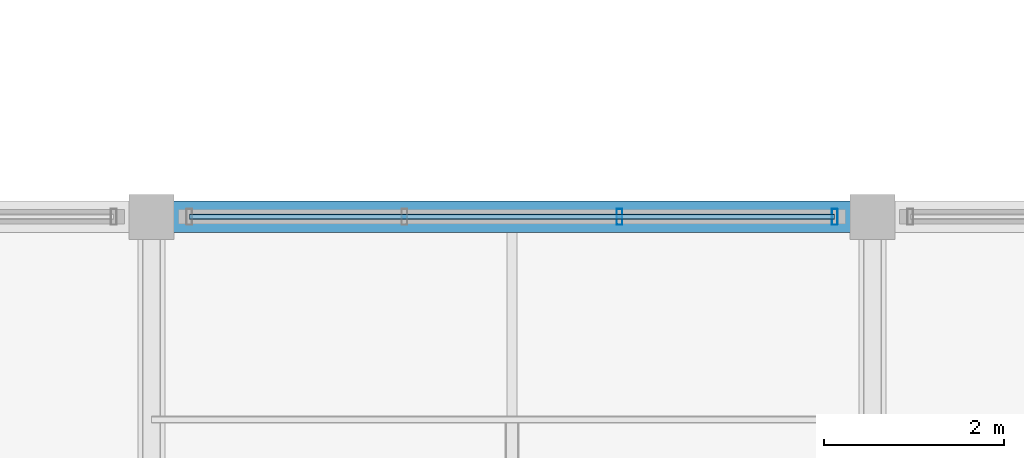
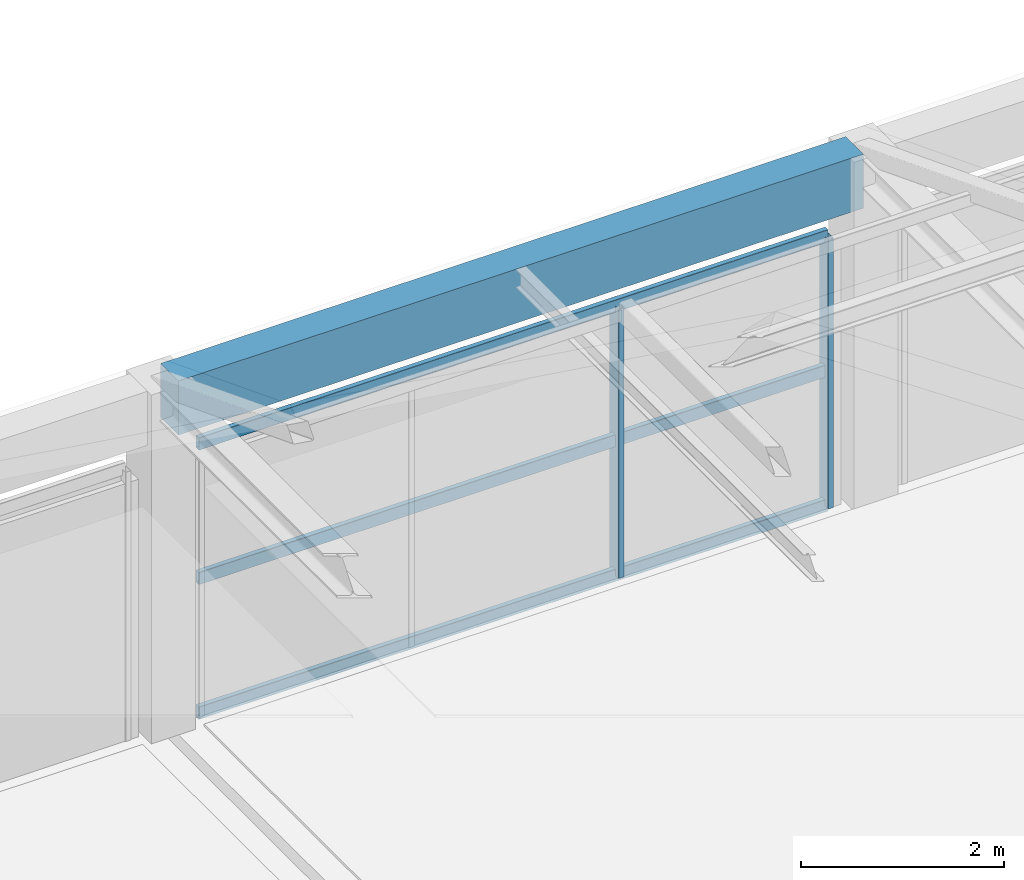
# One storey, part 25 of 65: 5 members, 1 beam, 1 element without a shape of its own.
"""IFC4 building model written with IfcOpenShell, lengths in metres."""

from ifc_helpers import new_model, si_unit, direction, frame, origin, origin_2d, place, context, subcontext, project, spatial, rectangle, hollow_rectangle, extrude, material, material_profile, profile_set, type_object, element, aggregate, save


model = new_model("IFC4")

# Units and contexts
model_context = context("Model", 3, precision=1e-05, world=origin(), true_north=direction((0.0, 1.0)))
body_context = subcontext(model_context, "Body", "Model", "MODEL_VIEW")
ifc_project = project(units=[si_unit("LENGTHUNIT", "METRE"), si_unit("AREAUNIT", "SQUARE_METRE"), si_unit("VOLUMEUNIT", "CUBIC_METRE"), si_unit("PLANEANGLEUNIT", "RADIAN"), si_unit("MASSUNIT", "GRAM", prefix="KILO")], contexts=[model_context])

# Site, building, storey
site_placement = place(None, origin())
site = spatial("IfcSite", under=ifc_project, at=site_placement, CompositionType="ELEMENT")
building_placement = place(site_placement, origin())
building = spatial("IfcBuilding", under=site, at=building_placement, Name="Varnabhumi Central Station", CompositionType="ELEMENT")
storey_placement = place(building_placement, frame((0.0, 0.0, 24.60009765625)))
storey = spatial("IfcBuildingStorey", under=building, at=storey_placement, Name="L05", CompositionType="ELEMENT", Elevation=24.60009765625)

# Beam
ifc_material_1 = material(Name="Concrete M40", Category="concrete")
ifc_material_profile_1 = material_profile(ifc_material_1, rectangle(XDim=0.35009765625, YDim=0.64990234375, at=origin_2d()), Name="Concrete M40", Category="concrete")
ifc_profile_set_1 = profile_set([ifc_material_profile_1], Name="Concrete M40")
beam_type = type_object("IfcBeamType", Name="BM-RC-350x650", PredefinedType="BEAM", material=ifc_profile_set_1)
beam_placement = place(storey_placement, frame((120.10009765625, 9.0, 3.875), z_axis=(1.0, 0.0, 0.0), x_axis=(0.0, 1.0, 0.0)))
element("IfcBeam", 1, at=beam_placement, inside=storey, type_object=beam_type, Name="Beam L05-B:16-17", PredefinedType="BEAM", context=body_context, shape_type="SweptSolid", body=[
    extrude(rectangle(XDim=0.35009765625, YDim=0.64990234375, at=origin_2d()), origin(), (0.0, 0.0, 1.0), 7.7998046875),
])

# Curtain wall, members
ifc_material_2 = material(Name="Anodised aluminium 6063-T6", Category="aluminium")
curtain_wall_type = type_object("IfcCurtainWallType", Name="CW-PATIO-LOGGIA-L3", PredefinedType="NOTDEFINED", material=ifc_material_2)
curtain_wall_placement = place(storey_placement, origin())
curtain_wall = element("IfcCurtainWall", 2, at=curtain_wall_placement, inside=storey, type_object=curtain_wall_type, Name="Curtain Wall CW-SP5S2", PredefinedType="NOTDEFINED")
ifc_material_profile_2 = material_profile(ifc_material_2, hollow_rectangle(XDim=0.06494140625, YDim=0.179931640625, WallThickness=0.00390625, InnerFilletRadius=0.001953125, OuterFilletRadius=0.006103515625, at=origin_2d()), Name="Anodised aluminium 6063-T6", Category="aluminium")
ifc_profile_set_2 = profile_set([ifc_material_profile_2], Name="Anodised aluminium 6063-T6")
member_type_1 = type_object("IfcMemberType", Name="CW-MUL-180", PredefinedType="MULLION", material=ifc_profile_set_2)
member_1_placement = place(storey_placement, frame((125.193359375, 9.0, 0.0), z_axis=(0.0, 0.0, 1.0), x_axis=(1.0, 0.0, 0.0)))
member_1 = element("IfcMember", 3, at=member_1_placement, type_object=member_type_1, Name="Curtain Wall Mullion CW-SP5S2-M3", PredefinedType="MULLION", context=body_context, shape_type="SweptSolid", body=[
    extrude(hollow_rectangle(XDim=0.06494140625, YDim=0.179931640625, WallThickness=0.00390625, InnerFilletRadius=0.001953125, OuterFilletRadius=0.006103515625, at=origin_2d()), origin(), (0.0, 0.0, 1.0), 3.239990234375),
])
member_2_placement = place(storey_placement, frame((127.580078125, 9.0, 0.0), z_axis=(0.0, 0.0, 1.0), x_axis=(1.0, 0.0, 0.0)))
member_2 = element("IfcMember", 4, at=member_2_placement, type_object=member_type_1, Name="Curtain Wall Mullion CW-SP5S2-M4", PredefinedType="MULLION", context=body_context, shape_type="SweptSolid", body=[
    extrude(hollow_rectangle(XDim=0.06494140625, YDim=0.179931640625, WallThickness=0.00390625, InnerFilletRadius=0.001953125, OuterFilletRadius=0.006103515625, at=origin_2d()), origin(), (0.0, 0.0, 1.0), 3.239990234375),
])
ifc_material_profile_3 = material_profile(ifc_material_2, hollow_rectangle(XDim=0.06005859375, YDim=0.14990234375, WallThickness=0.00390625, InnerFilletRadius=0.001953125, OuterFilletRadius=0.006103515625, at=origin_2d()), Name="Anodised aluminium 6063-T6", Category="aluminium")
ifc_profile_set_3 = profile_set([ifc_material_profile_3], Name="Anodised aluminium 6063-T6")
member_type_2 = type_object("IfcMemberType", Name="CW-TR-150", PredefinedType="USERDEFINED", material=ifc_profile_set_3)
member_3_placement = place(storey_placement, frame((120.419921875, 9.0, 0.0), z_axis=(1.0, 0.0, 0.0), x_axis=(0.0, 1.0, 0.0)))
member_3 = element("IfcMember", 5, at=member_3_placement, type_object=member_type_2, Name="Curtain Wall Transom CW-SP5S2-T1", ObjectType="TRANSOM", PredefinedType="USERDEFINED", context=body_context, shape_type="SweptSolid", body=[
    extrude(hollow_rectangle(XDim=0.06005859375, YDim=0.14990234375, WallThickness=0.00390625, InnerFilletRadius=0.001953125, OuterFilletRadius=0.006103515625, at=origin_2d()), origin(), (0.0, 0.0, 1.0), 7.16015625),
])
member_4_placement = place(storey_placement, frame((120.419921875, 9.0, 1.619873046875), z_axis=(1.0, 0.0, 0.0), x_axis=(0.0, 1.0, 0.0)))
member_4 = element("IfcMember", 6, at=member_4_placement, type_object=member_type_2, Name="Curtain Wall Transom CW-SP5S2-T2", ObjectType="TRANSOM", PredefinedType="USERDEFINED", context=body_context, shape_type="SweptSolid", body=[
    extrude(hollow_rectangle(XDim=0.06005859375, YDim=0.14990234375, WallThickness=0.00390625, InnerFilletRadius=0.001953125, OuterFilletRadius=0.006103515625, at=origin_2d()), origin(), (0.0, 0.0, 1.0), 7.16015625),
])
member_5_placement = place(storey_placement, frame((120.419921875, 9.0, 3.239990234375), z_axis=(1.0, 0.0, 0.0), x_axis=(0.0, 1.0, 0.0)))
member_5 = element("IfcMember", 7, at=member_5_placement, type_object=member_type_2, Name="Curtain Wall Transom CW-SP5S2-T3", ObjectType="TRANSOM", PredefinedType="USERDEFINED", context=body_context, shape_type="SweptSolid", body=[
    extrude(hollow_rectangle(XDim=0.06005859375, YDim=0.14990234375, WallThickness=0.00390625, InnerFilletRadius=0.001953125, OuterFilletRadius=0.006103515625, at=origin_2d()), origin(), (0.0, 0.0, 1.0), 7.16015625),
])
aggregate(curtain_wall, [member_1, member_2, member_3, member_4, member_5])

save(model, "model.ifc")
